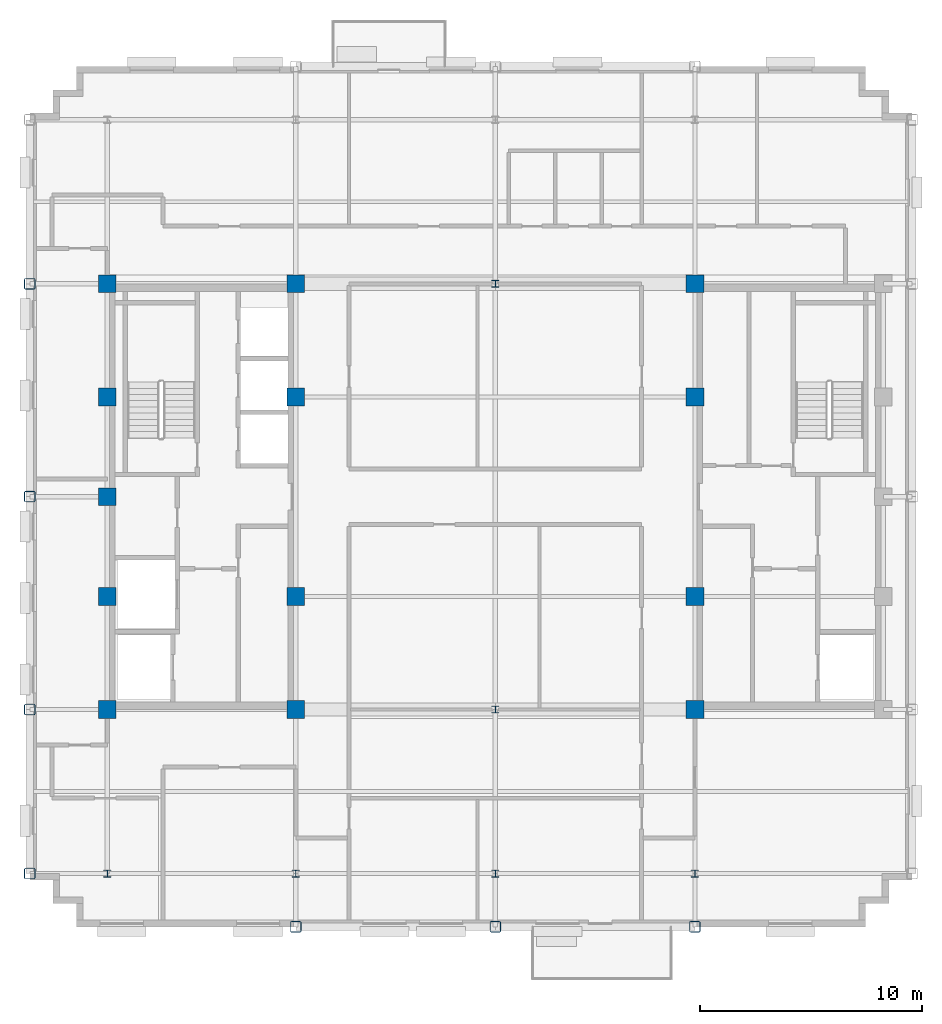
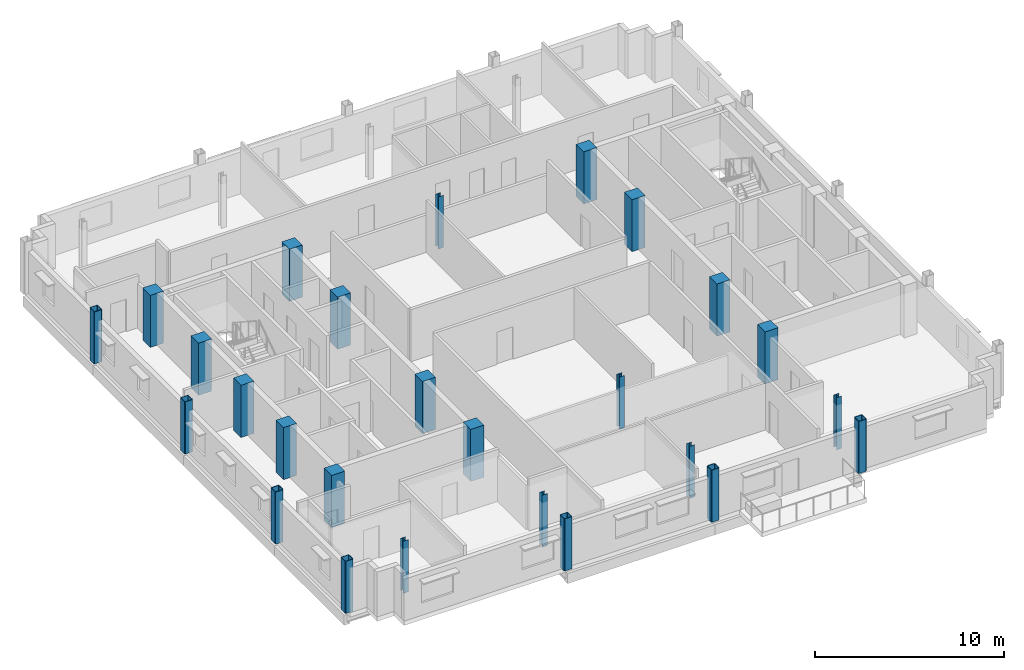
# One storey, part 1 of 13: 26 columns.
"""IFC4 building model written with IfcOpenShell, lengths in metres."""

from ifc_helpers import new_model, si_unit, direction, frame, origin, origin_2d, place, context, subcontext, project, spatial, rectangle, hollow_rectangle, i_section, extrude, material, material_profile, profile_set, type_object, element, save


model = new_model("IFC4")

# Units and contexts
model_context = context("Model", 3, precision=1e-05, world=origin(), true_north=direction((0.0, 1.0)))
body_context = subcontext(model_context, "Body", "Model", "MODEL_VIEW")
ifc_project = project(units=[si_unit("LENGTHUNIT", "METRE"), si_unit("AREAUNIT", "SQUARE_METRE"), si_unit("VOLUMEUNIT", "CUBIC_METRE"), si_unit("PLANEANGLEUNIT", "RADIAN"), si_unit("MASSUNIT", "GRAM", prefix="KILO")], contexts=[model_context])

# Site, building, storey
site_placement = place(None, origin())
site = spatial("IfcSite", under=ifc_project, at=site_placement, CompositionType="ELEMENT")
building_placement = place(site_placement, origin())
building = spatial("IfcBuilding", under=site, at=building_placement, Name="Nuvemarco Arch Tower", CompositionType="ELEMENT")
storey_placement = place(building_placement, frame((0.0, 0.0, 279.85009765625)))
storey = spatial("IfcBuildingStorey", under=building, at=storey_placement, Name="L74", CompositionType="ELEMENT", Elevation=279.85009765625)

# Columns
ifc_material_1 = material(Name="Concrete C50/60", Category="concrete")
ifc_material_profile_1 = material_profile(ifc_material_1, rectangle(XDim=0.800048828125, YDim=0.800048828125, at=origin_2d()), Name="RC-COL-800x800")
ifc_profile_set_1 = profile_set([ifc_material_profile_1], Name="Concrete C50/60")
column_type_1 = type_object("IfcColumnType", Name="COL-CORE-800", PredefinedType="COLUMN", material=ifc_profile_set_1)
for number, where, z_axis, x_axis, name in (
    (1, (-17.5, -9.60009765625, 0.0), (0.0, 0.0, 1.0), (1.0, 0.0, 0.0), "L74 column CC_-17.5_-9.6"),
    (2, (-17.5, -4.5, 0.0), (0.0, 0.0, 1.0), (1.0, 0.0, 0.0), "L74 column CC_-17.5_-4.5"),
    (3, (-17.5, 4.5, 0.0), (0.0, 0.0, 1.0), (1.0, 0.0, 0.0), "L74 column CC_-17.5_+4.5"),
    (4, (-17.5, 9.60009765625, 0.0), (0.0, 0.0, 1.0), (1.0, 0.0, 0.0), "L74 column CC_-17.5_+9.6"),
    (5, (-9.0, -9.60009765625, 0.0), (0.0, 0.0, 1.0), (1.0, 0.0, 0.0), "L74 column CC_-9.0_-9.6"),
    (6, (-9.0, -4.5, 0.0), (0.0, 0.0, 1.0), (1.0, 0.0, 0.0), "L74 column CC_-9.0_-4.5"),
    (7, (-9.0, 4.5, 0.0), (0.0, 0.0, 1.0), (1.0, 0.0, 0.0), "L74 column CC_-9.0_+4.5"),
    (8, (-9.0, 9.60009765625, 0.0), (0.0, 0.0, 1.0), (1.0, 0.0, 0.0), "L74 column CC_-9.0_+9.6"),
    (9, (9.0, -9.60009765625, 0.0), (0.0, 0.0, 1.0), (1.0, 0.0, 0.0), "L74 column CC_+9.0_-9.6"),
    (10, (9.0, -4.5, 0.0), (0.0, 0.0, 1.0), (1.0, 0.0, 0.0), "L74 column CC_+9.0_-4.5"),
    (11, (9.0, 4.5, 0.0), (0.0, 0.0, 1.0), (1.0, 0.0, 0.0), "L74 column CC_+9.0_+4.5"),
    (12, (9.0, 9.60009765625, 0.0), (0.0, 0.0, 1.0), (1.0, 0.0, 0.0), "L74 column CC_+9.0_+9.6"),
    (13, (-17.5, 0.0, 0.0), (0.0, 0.0, 1.0), (1.0, 0.0, 0.0), "L74 column CC_-17.5_+0.0"),
):
    element("IfcColumn", number, at=place(storey_placement, frame(where, z_axis=z_axis, x_axis=x_axis)), inside=storey, type_object=column_type_1, Name=name, PredefinedType="COLUMN", context=body_context, shape_type="SweptSolid", body=[
        extrude(rectangle(XDim=0.800048828125, YDim=0.800048828125, at=origin_2d()), origin(), (0.0, 0.0, 1.0), 3.369873046875),
    ])
ifc_material_2 = material(Name="Steel S355", Category="steel")
ifc_material_profile_2 = material_profile(ifc_material_2, hollow_rectangle(XDim=0.5, YDim=0.5, WallThickness=0.031982421875, InnerFilletRadius=0.031982421875, OuterFilletRadius=0.06396484375, at=origin_2d()), Name="SHS500x500x32")
ifc_profile_set_2 = profile_set([ifc_material_profile_2], Name="Steel S355")
column_type_2 = type_object("IfcColumnType", Name="COL-EXO-500", PredefinedType="COLUMN", material=ifc_profile_set_2)
for number, where, z_axis, x_axis, name in (
    (14, (-21.0, -17.0, 0.0), (0.0, 0.0, 1.0), (1.0, 0.0, 0.0), "L74 column CX_-21.0_-17.0"),
    (15, (-21.0, -9.60009765625, 0.0), (0.0, 0.0, 1.0), (1.0, 0.0, 0.0), "L74 column CX_-21.0_-9.6"),
    (16, (-21.0, 0.0, 0.0), (0.0, 0.0, 1.0), (1.0, 0.0, 0.0), "L74 column CX_-21.0_+0.0"),
    (17, (-21.0, 9.60009765625, 0.0), (0.0, 0.0, 1.0), (1.0, 0.0, 0.0), "L74 column CX_-21.0_+9.6"),
    (18, (-9.0, -19.39990234375, 0.0), (0.0, 0.0, 1.0), (1.0, 0.0, 0.0), "L74 column CY_-9.0_-19.4"),
    (19, (0.0, -19.39990234375, 0.0), (0.0, 0.0, 1.0), (1.0, 0.0, 0.0), "L74 column CY_+0.0_-19.4"),
    (20, (9.0, -19.39990234375, 0.0), (0.0, 0.0, 1.0), (1.0, 0.0, 0.0), "L74 column CY_+9.0_-19.4"),
):
    element("IfcColumn", number, at=place(storey_placement, frame(where, z_axis=z_axis, x_axis=x_axis)), inside=storey, type_object=column_type_2, Name=name, PredefinedType="COLUMN", context=body_context, shape_type="SweptSolid", body=[
        extrude(hollow_rectangle(XDim=0.5, YDim=0.5, WallThickness=0.031982421875, InnerFilletRadius=0.031982421875, OuterFilletRadius=0.06396484375, at=origin_2d()), origin(), (0.0, 0.0, 1.0), 3.369873046875),
    ])
ifc_material_profile_3 = material_profile(ifc_material_2, i_section(OverallWidth=0.31005859375, OverallDepth=0.31005859375, WebThickness=0.015380859375, FlangeThickness=0.015380859375, FilletRadius=0.014892578125, at=origin_2d()), Name="HP310x110")
ifc_profile_set_3 = profile_set([ifc_material_profile_3], Name="Steel S355")
column_type_3 = type_object("IfcColumnType", Name="COL-STL-HP310", PredefinedType="COLUMN", material=ifc_profile_set_3)
for number, where, z_axis, x_axis, name in (
    (21, (0.0, -17.0, 0.0), (0.0, 0.0, 1.0), (1.0, 0.0, 0.0), "L74 column CI_+0.0_-17.0"),
    (22, (0.0, -9.60009765625, 0.0), (0.0, 0.0, 1.0), (1.0, 0.0, 0.0), "L74 column CI_+0.0_-9.6"),
    (23, (0.0, 9.60009765625, 0.0), (0.0, 0.0, 1.0), (1.0, 0.0, 0.0), "L74 column CI_+0.0_+9.6"),
    (24, (-17.5, -17.0, 0.0), (0.0, 0.0, 1.0), (1.0, 0.0, 0.0), "L74 column CI_-17.5_-17.0"),
    (25, (-9.0, -17.0, 0.0), (0.0, 0.0, 1.0), (1.0, 0.0, 0.0), "L74 column CI_-9.0_-17.0"),
    (26, (9.0, -17.0, 0.0), (0.0, 0.0, 1.0), (1.0, 0.0, 0.0), "L74 column CI_+9.0_-17.0"),
):
    element("IfcColumn", number, at=place(storey_placement, frame(where, z_axis=z_axis, x_axis=x_axis)), inside=storey, type_object=column_type_3, Name=name, PredefinedType="COLUMN", context=body_context, shape_type="SweptSolid", body=[
        extrude(i_section(OverallWidth=0.31005859375, OverallDepth=0.31005859375, WebThickness=0.015380859375, FlangeThickness=0.015380859375, FilletRadius=0.014892578125, at=origin_2d()), origin(), (0.0, 0.0, 1.0), 3.369873046875),
    ])

save(model, "model.ifc")
